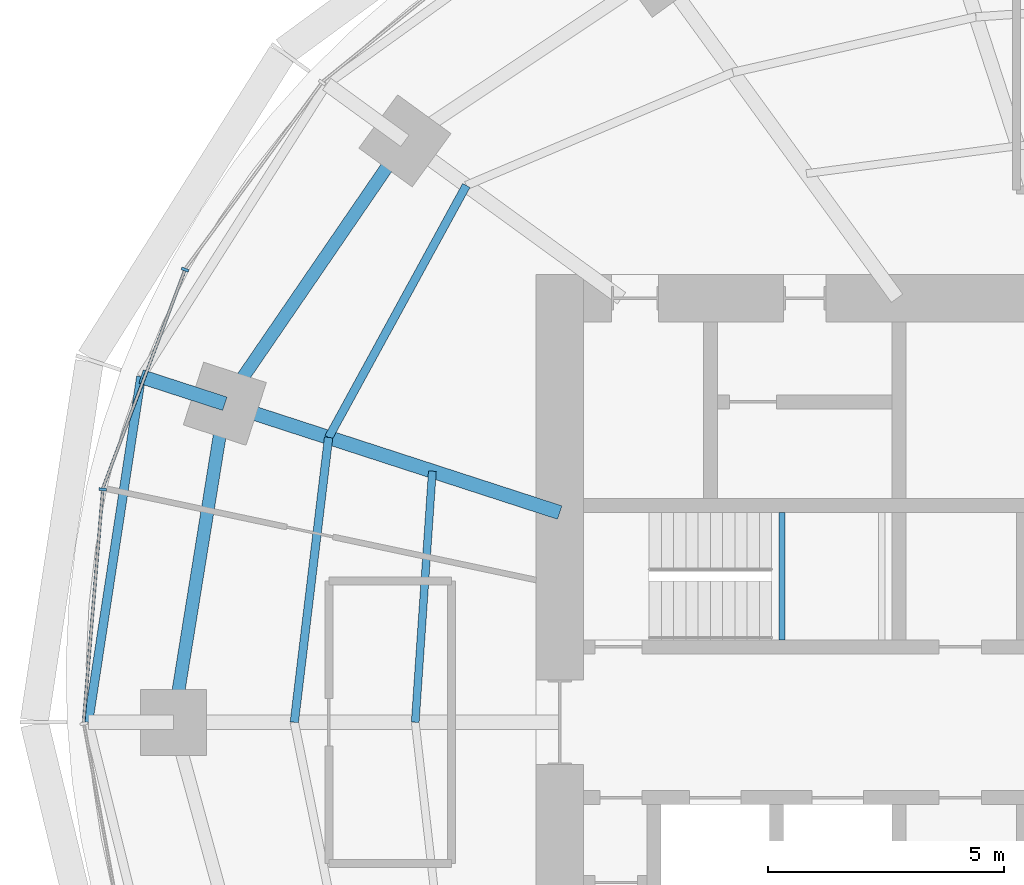
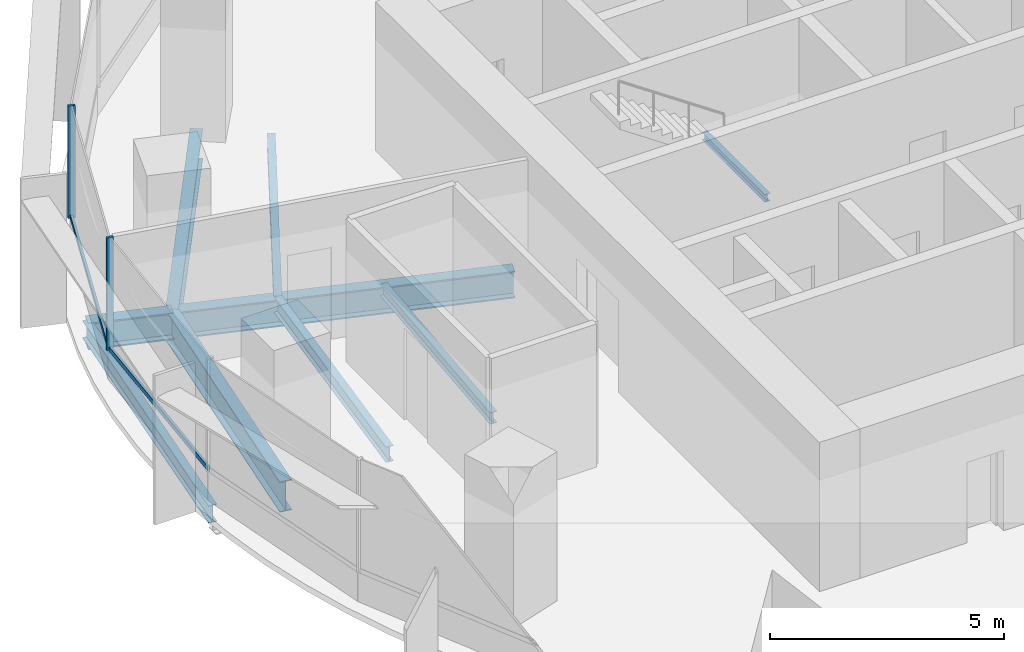
# One storey, part 4 of 14: 9 beams, 4 members, 1 element without a shape of its own.
"""IFC4 building model written with IfcOpenShell, lengths in metres."""

from ifc_helpers import new_model, si_unit, direction, frame, origin, origin_2d, place, context, subcontext, project, spatial, rectangle, i_section, extrude, material, material_profile, profile_set, type_object, element, aggregate, save


model = new_model("IFC4")

# Units and contexts
model_context = context("Model", 3, precision=1e-05, world=origin(), true_north=direction((0.0, 1.0)))
body_context = subcontext(model_context, "Body", "Model", "MODEL_VIEW")
ifc_project = project(units=[si_unit("LENGTHUNIT", "METRE"), si_unit("AREAUNIT", "SQUARE_METRE"), si_unit("VOLUMEUNIT", "CUBIC_METRE"), si_unit("PLANEANGLEUNIT", "RADIAN"), si_unit("MASSUNIT", "GRAM", prefix="KILO")], contexts=[model_context])

# Site, building, storey
site_placement = place(None, origin())
site = spatial("IfcSite", under=ifc_project, at=site_placement, CompositionType="ELEMENT")
building_placement = place(site_placement, origin())
building = spatial("IfcBuilding", under=site, at=building_placement, Name="Marramba Exchange Tower", CompositionType="ELEMENT")
storey_placement = place(building_placement, frame((0.0, 0.0, 222.800048828125)))
storey = spatial("IfcBuildingStorey", under=building, at=storey_placement, Name="L54", CompositionType="ELEMENT", Elevation=222.800048828125)

# Beams
ifc_material_1 = material(Name="Steel AS/NZS 3679.2 grade 300", Category="steel")
ifc_material_profile_1 = material_profile(ifc_material_1, i_section(OverallWidth=0.300048828125, OverallDepth=0.699951171875, WebThickness=0.010009765625, FlangeThickness=0.031982421875, at=origin_2d()), Name="700WB173")
ifc_profile_set_1 = profile_set([ifc_material_profile_1], Name="Steel AS/NZS 3679.2 grade 300")
beam_type_1 = type_object("IfcBeamType", Name="Cantilever girder 700WB173", PredefinedType="BEAM", material=ifc_profile_set_1)
beam_1_placement = place(storey_placement, frame((-20.808349609375, 6.760986328125, -0.510009765625), z_axis=(-0.951047511993, 0.309044705395, 0.0), x_axis=(-0.309044705395, -0.951047511993, 0.0)))
element("IfcBeam", 1, at=beam_1_placement, inside=storey, type_object=beam_type_1, Name="Cantilever girder L54 TC10", PredefinedType="BEAM", context=body_context, shape_type="SweptSolid", body=[
    extrude(i_section(OverallWidth=0.300048828125, OverallDepth=0.699951171875, WebThickness=0.010009765625, FlangeThickness=0.031982421875, at=origin_2d()), origin(), (0.0, 0.0, 1.0), 1.868408203125),
])
ifc_material_2 = material(Name="Steel AS/NZS 3679.1 grade 300", Category="steel")
ifc_material_profile_2 = material_profile(ifc_material_2, i_section(OverallWidth=0.166015625, OverallDepth=0.306884765625, WebThickness=0.006591796875, FlangeThickness=0.01171875, FilletRadius=0.011474609375, at=origin_2d()), Name="310UB46.2")
ifc_profile_set_2 = profile_set([ifc_material_profile_2], Name="Steel AS/NZS 3679.1 grade 300")
beam_type_2 = type_object("IfcBeamType", Name="Floor joist 310UB46.2", PredefinedType="JOIST", material=ifc_profile_set_2)
beam_2_placement = place(storey_placement, frame((-16.40283203125, 5.32958984375, -0.3134765625), z_axis=(-0.068096259546, -0.99767875563, 0.0), x_axis=(0.99767875563, -0.068096259546, 0.0)))
element("IfcBeam", 2, at=beam_2_placement, inside=storey, type_object=beam_type_2, Name="Joist L54 bay 10 row 1", PredefinedType="JOIST", context=body_context, shape_type="SweptSolid", body=[
    extrude(i_section(OverallWidth=0.166015625, OverallDepth=0.306884765625, WebThickness=0.006591796875, FlangeThickness=0.01171875, FilletRadius=0.011474609375, at=origin_2d()), origin(), (0.0, 0.0, 1.0), 5.342041015625),
])
ifc_material_profile_3 = material_profile(ifc_material_2, i_section(OverallWidth=0.177978515625, OverallDepth=0.406005859375, WebThickness=0.0078125, FlangeThickness=0.0126953125, FilletRadius=0.011474609375, at=origin_2d()), Name="410UB59.7")
ifc_profile_set_3 = profile_set([ifc_material_profile_3], Name="Steel AS/NZS 3679.1 grade 300")
beam_type_3 = type_object("IfcBeamType", Name="Floor joist 410UB59.7", PredefinedType="JOIST", material=ifc_profile_set_3)
beam_3_placement = place(storey_placement, frame((-15.682373046875, 11.393798828125, -0.363037109375), z_axis=(-0.479584443791, -0.877495732909, 0.0), x_axis=(0.877495732909, -0.479584443791, 0.0)))
element("IfcBeam", 3, at=beam_3_placement, inside=storey, type_object=beam_type_3, Name="Joist L54 bay 09 row 2", PredefinedType="JOIST", context=body_context, shape_type="SweptSolid", body=[
    extrude(i_section(OverallWidth=0.177978515625, OverallDepth=0.406005859375, WebThickness=0.0078125, FlangeThickness=0.0126953125, FilletRadius=0.011474609375, at=origin_2d()), origin(), (0.0, 0.0, 1.0), 6.094970703125),
])
beam_4_placement = place(storey_placement, frame((-18.60546875, 6.04541015625, -0.363037109375), z_axis=(-0.119523078538, -0.992831422597, 0.0), x_axis=(0.992831422597, -0.119523078538, 0.0)))
element("IfcBeam", 4, at=beam_4_placement, inside=storey, type_object=beam_type_3, Name="Joist L54 bay 10 row 2", PredefinedType="JOIST", context=body_context, shape_type="SweptSolid", body=[
    extrude(i_section(OverallWidth=0.177978515625, OverallDepth=0.406005859375, WebThickness=0.0078125, FlangeThickness=0.0126953125, FilletRadius=0.011474609375, at=origin_2d()), origin(), (0.0, 0.0, 1.0), 6.089111328125),
])

# Curtain wall, members
ifc_material_3 = material(Name="Aluminium framing, bronze anodised", Category="aluminium")
curtain_wall_type = type_object("IfcCurtainWallType", Name="Office ribbon curtain wall", PredefinedType="USERDEFINED", material=ifc_material_3)
curtain_wall_placement = place(storey_placement, origin())
curtain_wall = element("IfcCurtainWall", 5, at=curtain_wall_placement, inside=storey, type_object=curtain_wall_type, Name="Curtain wall CW4 L54 F11-F15", ObjectType="RIBBON CURTAIN WALL", PredefinedType="USERDEFINED")
ifc_material_4 = material(Name="Aluminium mullion, bronze anodised", Category="aluminium")
ifc_material_profile_4 = material_profile(ifc_material_4, rectangle(XDim=0.159912109375, YDim=0.06005859375, at=origin_2d()), Name="CW4 mullion 60x160")
ifc_profile_set_4 = profile_set([ifc_material_profile_4], Name="Aluminium mullion, bronze anodised")
member_type_1 = type_object("IfcMemberType", Name="Office ribbon curtain wall mullion", PredefinedType="MULLION", material=ifc_profile_set_4)
member_1_placement = place(storey_placement, frame((-21.65283203125, 9.607666015625, 0.800048828125), z_axis=(0.0, 0.0, 1.0), x_axis=(0.936018231909, -0.351951515885, 0.0)))
member_1 = element("IfcMember", 6, at=member_1_placement, type_object=member_type_1, Name="CW4 mullion 1", PredefinedType="MULLION", context=body_context, shape_type="SweptSolid", body=[
    extrude(rectangle(XDim=0.159912109375, YDim=0.06005859375, at=origin_2d()), origin(), (0.0, 0.0, 1.0), 2.93994140625),
])
member_2_placement = place(storey_placement, frame((-23.39794921875, 4.94287109375, 0.800048828125), z_axis=(0.0, 0.0, 1.0), x_axis=(0.996609178714, -0.082280890264, 0.0)))
member_2 = element("IfcMember", 7, at=member_2_placement, type_object=member_type_1, Name="CW4 mullion 1", PredefinedType="MULLION", context=body_context, shape_type="SweptSolid", body=[
    extrude(rectangle(XDim=0.159912109375, YDim=0.06005859375, at=origin_2d()), origin(), (0.0, 0.0, 1.0), 2.93994140625),
])
ifc_material_5 = material(Name="Aluminium transom, bronze anodised", Category="aluminium")
ifc_material_profile_5 = material_profile(ifc_material_5, rectangle(XDim=0.06005859375, YDim=0.1201171875, at=origin_2d()), Name="CW4 transom 60x120")
ifc_profile_set_5 = profile_set([ifc_material_profile_5], Name="Aluminium transom, bronze anodised")
member_type_2 = type_object("IfcMemberType", Name="Office ribbon curtain wall transom", PredefinedType="USERDEFINED", material=ifc_profile_set_5)
member_3_placement = place(storey_placement, frame((-21.663330078125, 9.57958984375, 0.829833984375), z_axis=(-0.351955054115, -0.936016901494, 0.0), x_axis=(0.936016901494, -0.351955054115, 0.0)))
member_3 = element("IfcMember", 8, at=member_3_placement, type_object=member_type_2, Name="CW4 sill transom", ObjectType="TRANSOM", PredefinedType="USERDEFINED", context=body_context, shape_type="SweptSolid", body=[
    extrude(rectangle(XDim=0.06005859375, YDim=0.1201171875, at=origin_2d()), origin(), (0.0, 0.0, 1.0), 4.921630859375),
])
member_4_placement = place(storey_placement, frame((-23.400390625, 4.9130859375, 0.829833984375), z_axis=(-0.082258542539, -0.996611023509, 0.0), x_axis=(0.996611023509, -0.082258542539, 0.0)))
member_4 = element("IfcMember", 9, at=member_4_placement, type_object=member_type_2, Name="CW4 sill transom", ObjectType="TRANSOM", PredefinedType="USERDEFINED", context=body_context, shape_type="SweptSolid", body=[
    extrude(rectangle(XDim=0.06005859375, YDim=0.1201171875, at=origin_2d()), origin(), (0.0, 0.0, 1.0), 4.9296875),
])
aggregate(curtain_wall, [member_1, member_3, member_2, member_4])

# Beams
ifc_material_profile_6 = material_profile(ifc_material_1, i_section(OverallWidth=0.300048828125, OverallDepth=0.699951171875, WebThickness=0.010009765625, FlangeThickness=0.031982421875, at=origin_2d()), Name="700WB173")
ifc_profile_set_6 = profile_set([ifc_material_profile_6], Name="Steel AS/NZS 3679.2 grade 300")
beam_type_4 = type_object("IfcBeamType", Name="Radial girder 700WB173", PredefinedType="BEAM", material=ifc_profile_set_6)
beam_5_placement = place(storey_placement, frame((-13.699951171875, 4.451416015625, -0.510009765625), z_axis=(-0.951059990189, 0.309006302624, 0.0), x_axis=(-0.309006302624, -0.951059990189, 0.0)))
element("IfcBeam", 10, at=beam_5_placement, inside=storey, type_object=beam_type_4, Name="Radial girder L54 TC10", PredefinedType="BEAM", context=body_context, shape_type="SweptSolid", body=[
    extrude(i_section(OverallWidth=0.300048828125, OverallDepth=0.699951171875, WebThickness=0.010009765625, FlangeThickness=0.031982421875, at=origin_2d()), origin(), (0.0, 0.0, 1.0), 7.47412109375),
])
ifc_material_profile_7 = material_profile(ifc_material_1, i_section(OverallWidth=0.27490234375, OverallDepth=0.800048828125, WebThickness=0.010009765625, FlangeThickness=0.02490234375, at=origin_2d()), Name="800WB168")
ifc_profile_set_7 = profile_set([ifc_material_profile_7], Name="Steel AS/NZS 3679.2 grade 300")
beam_type_5 = type_object("IfcBeamType", Name="Ring beam 800WB168", PredefinedType="SPANDREL", material=ifc_profile_set_7)
beam_6_placement = place(storey_placement, frame((-16.98583984375, 12.3408203125, -0.56005859375), z_axis=(-0.56516002054, -0.824981303535, 0.0), x_axis=(0.824981303535, -0.56516002054, 0.0)))
element("IfcBeam", 11, at=beam_6_placement, inside=storey, type_object=beam_type_5, Name="Ring beam L54 TC09-TC10", PredefinedType="SPANDREL", context=body_context, shape_type="SweptSolid", body=[
    extrude(i_section(OverallWidth=0.27490234375, OverallDepth=0.800048828125, WebThickness=0.010009765625, FlangeThickness=0.02490234375, at=origin_2d()), origin(), (0.0, 0.0, 1.0), 6.763671875),
])
beam_7_placement = place(storey_placement, frame((-20.808349609375, 6.760986328125, -0.56005859375), z_axis=(-0.159384865399, -0.987216523708, 0.0), x_axis=(0.987216523708, -0.159384865399, 0.0)))
element("IfcBeam", 12, at=beam_7_placement, inside=storey, type_object=beam_type_5, Name="Ring beam L54 TC10-TC11", PredefinedType="SPANDREL", context=body_context, shape_type="SweptSolid", body=[
    extrude(i_section(OverallWidth=0.27490234375, OverallDepth=0.800048828125, WebThickness=0.010009765625, FlangeThickness=0.02490234375, at=origin_2d()), origin(), (0.0, 0.0, 1.0), 6.8486328125),
])
ifc_material_profile_8 = material_profile(ifc_material_2, i_section(OverallWidth=0.19091796875, OverallDepth=0.4599609375, WebThickness=0.010009765625, FlangeThickness=0.01611328125, FilletRadius=0.011474609375, at=origin_2d()), Name="460UB82.1")
ifc_profile_set_8 = profile_set([ifc_material_profile_8], Name="Steel AS/NZS 3679.1 grade 300")
beam_type_6 = type_object("IfcBeamType", Name="Slab edge beam 460UB82.1", PredefinedType="SPANDREL", material=ifc_profile_set_8)
beam_8_placement = place(storey_placement, frame((-22.585205078125, 7.33837890625, -0.39013671875), z_axis=(-0.150987012186, -0.988535746522, 0.0), x_axis=(0.988535746522, -0.150987012186, 0.0)))
element("IfcBeam", 13, at=beam_8_placement, inside=storey, type_object=beam_type_6, Name="Slab edge beam L54 TC10-TC11", PredefinedType="SPANDREL", context=body_context, shape_type="SweptSolid", body=[
    extrude(i_section(OverallWidth=0.19091796875, OverallDepth=0.4599609375, WebThickness=0.010009765625, FlangeThickness=0.01611328125, FilletRadius=0.011474609375, at=origin_2d()), origin(), (0.0, 0.0, 1.0), 7.423583984375),
])
ifc_material_profile_9 = material_profile(ifc_material_2, i_section(OverallWidth=0.133056640625, OverallDepth=0.202880859375, WebThickness=0.005859375, FlangeThickness=0.0078125, FilletRadius=0.0087890625, at=origin_2d()), Name="200UB25.4")
ifc_profile_set_9 = profile_set([ifc_material_profile_9], Name="Steel AS/NZS 3679.1 grade 300")
beam_type_7 = type_object("IfcBeamType", Name="Stair landing beam 200UB25.4", PredefinedType="BEAM", material=ifc_profile_set_9)
beam_9_placement = place(storey_placement, frame((-8.9833984375, 1.75, 1.6484375), z_axis=(0.0, 1.0, 0.0), x_axis=(-1.0, 0.0, 0.0)))
element("IfcBeam", 14, at=beam_9_placement, inside=storey, type_object=beam_type_7, Name="Stair landing beam SLB1 ST1 L54 1", PredefinedType="BEAM", context=body_context, shape_type="SweptSolid", body=[
    extrude(i_section(OverallWidth=0.133056640625, OverallDepth=0.202880859375, WebThickness=0.005859375, FlangeThickness=0.0078125, FilletRadius=0.0087890625, at=origin_2d()), origin(), (0.0, 0.0, 1.0), 2.699951171875),
])

save(model, "model.ifc")
